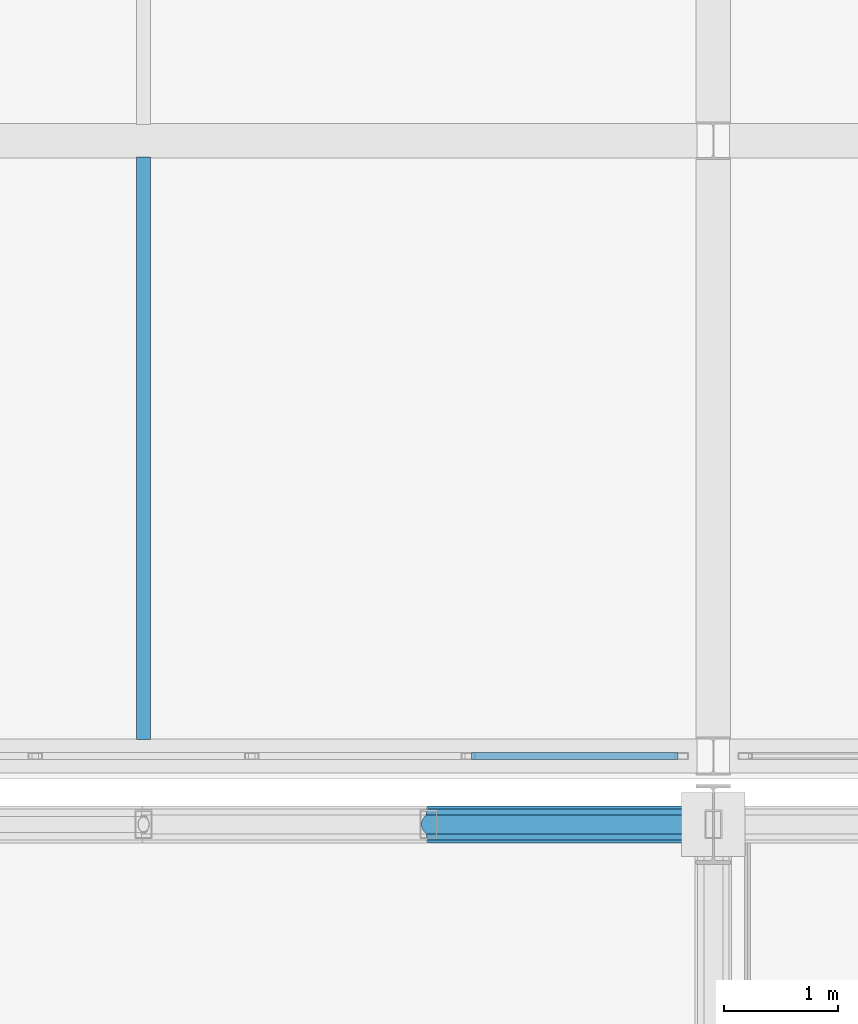
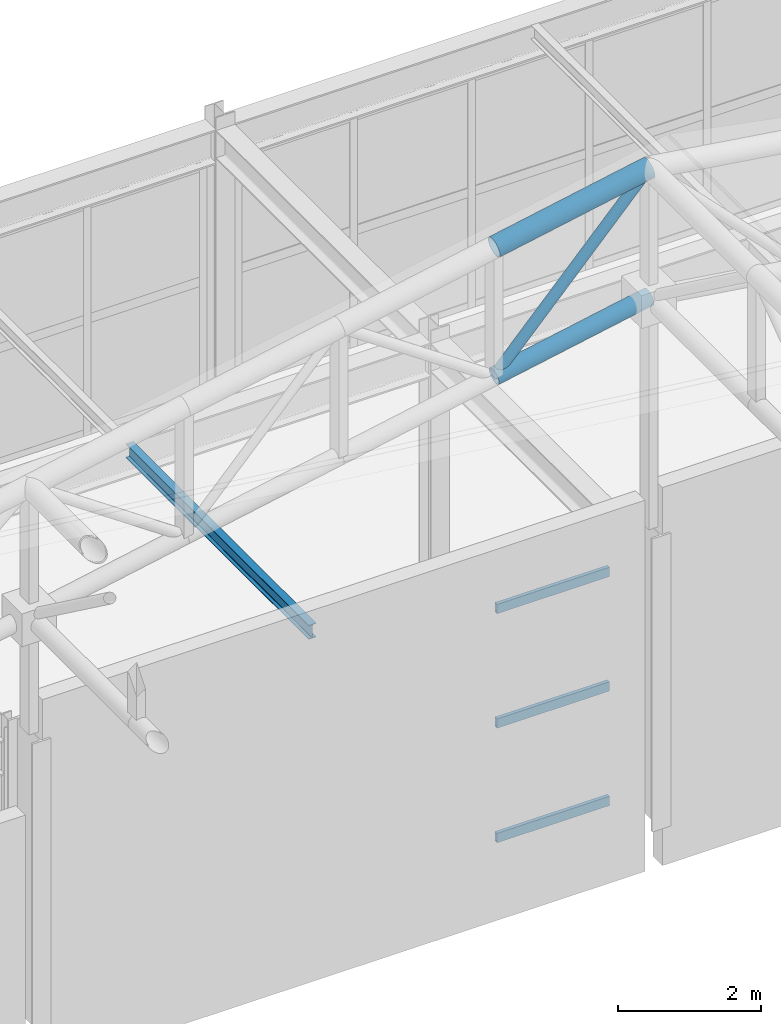
# One storey, part 70 of 112: 6 members, 1 beam, 1 element without a shape of its own.
"""IFC4 building model written with IfcOpenShell, lengths in metres."""

from ifc_helpers import new_model, si_unit, direction, frame, origin, origin_2d, place, context, subcontext, project, spatial, hollow_rectangle, hollow_circle, i_section, extrude, material, material_profile, profile_set, type_object, element, aggregate, save


model = new_model("IFC4")

# Units and contexts
model_context = context("Model", 3, precision=1e-05, world=origin(), true_north=direction((0.0, 1.0)))
body_context = subcontext(model_context, "Body", "Model", "MODEL_VIEW")
ifc_project = project(units=[si_unit("LENGTHUNIT", "METRE"), si_unit("AREAUNIT", "SQUARE_METRE"), si_unit("VOLUMEUNIT", "CUBIC_METRE"), si_unit("PLANEANGLEUNIT", "RADIAN"), si_unit("MASSUNIT", "GRAM", prefix="KILO")], contexts=[model_context])

# Site, building, storey
site_placement = place(None, origin())
site = spatial("IfcSite", under=ifc_project, at=site_placement, CompositionType="ELEMENT")
building_placement = place(site_placement, origin())
building = spatial("IfcBuilding", under=site, at=building_placement, Name="Kaldris Quays Convention Centre", CompositionType="ELEMENT")
storey_placement = place(building_placement, frame((0.0, 0.0, 16.800048828125)))
storey = spatial("IfcBuildingStorey", under=building, at=storey_placement, Name="L03", CompositionType="ELEMENT", Elevation=16.800048828125)

# Curtain wall, members
ifc_material_1 = material(Name="Anodized aluminium AW-6060 and triple glazing", Category="aluminium")
curtain_wall_type = type_object("IfcCurtainWallType", Name="UNITISED CURTAIN WALL CW06", PredefinedType="NOTDEFINED", material=ifc_material_1)
curtain_wall_placement = place(storey_placement, origin())
curtain_wall = element("IfcCurtainWall", 1, at=curtain_wall_placement, inside=storey, type_object=curtain_wall_type, Name="L03 Unitised Curtain Wall CW06 176", PredefinedType="NOTDEFINED")
ifc_material_2 = material(Name="Anodized aluminium AW-6060", Category="aluminium")
ifc_material_profile_1 = material_profile(ifc_material_2, hollow_rectangle(XDim=0.06005859375, YDim=0.159912109375, WallThickness=0.00390625, at=origin_2d()), Name="RHS 160x60x4")
ifc_profile_set_1 = profile_set([ifc_material_profile_1], Name="Anodized aluminium AW-6060")
member_type_1 = type_object("IfcMemberType", Name="CURTAIN TRANSOM CWT2", PredefinedType="USERDEFINED", material=ifc_profile_set_1)
member_1_placement = place(storey_placement, frame((181.8798828125, 104.60009765625, 0.030029296875), z_axis=(1.0, 0.0, 0.0), x_axis=(0.0, 1.0, 0.0)))
member_1 = element("IfcMember", 2, at=member_1_placement, type_object=member_type_1, Name="CW06 transom 5.1", ObjectType="TRANSOM", PredefinedType="USERDEFINED", context=body_context, shape_type="SweptSolid", body=[
    extrude(hollow_rectangle(XDim=0.06005859375, YDim=0.159912109375, WallThickness=0.00390625, at=origin_2d()), origin(), (0.0, 0.0, 1.0), 1.81005859375),
])
member_2_placement = place(storey_placement, frame((181.8798828125, 104.60009765625, 1.98388671875), z_axis=(1.0, 0.0, 0.0), x_axis=(0.0, 1.0, 0.0)))
member_2 = element("IfcMember", 3, at=member_2_placement, type_object=member_type_1, Name="CW06 transom 5.2", ObjectType="TRANSOM", PredefinedType="USERDEFINED", context=body_context, shape_type="SweptSolid", body=[
    extrude(hollow_rectangle(XDim=0.06005859375, YDim=0.159912109375, WallThickness=0.00390625, at=origin_2d()), origin(), (0.0, 0.0, 1.0), 1.81005859375),
])
member_3_placement = place(storey_placement, frame((181.8798828125, 104.60009765625, 3.93701171875), z_axis=(1.0, 0.0, 0.0), x_axis=(0.0, 1.0, 0.0)))
member_3 = element("IfcMember", 4, at=member_3_placement, type_object=member_type_1, Name="CW06 transom 5.3", ObjectType="TRANSOM", PredefinedType="USERDEFINED", context=body_context, shape_type="SweptSolid", body=[
    extrude(hollow_rectangle(XDim=0.06005859375, YDim=0.159912109375, WallThickness=0.00390625, at=origin_2d()), origin(), (0.0, 0.0, 1.0), 1.81005859375),
])
aggregate(curtain_wall, [member_1, member_2, member_3])

# Beam
ifc_material_3 = material(Name="Steel S355J2", Category="steel")
ifc_material_profile_2 = material_profile(ifc_material_3, i_section(OverallWidth=0.1201171875, OverallDepth=0.239990234375, WebThickness=0.006103515625, FlangeThickness=0.009765625, FilletRadius=0.014892578125, at=origin_2d()), Name="IPE 240")
ifc_profile_set_2 = profile_set([ifc_material_profile_2], Name="Steel S355J2")
beam_type = type_object("IfcBeamType", Name="STRUCTURAL BEAM JT05", PredefinedType="JOIST", material=ifc_profile_set_2)
beam_placement = place(storey_placement, frame((179.0, 104.743896484375, 4.4619140625), z_axis=(0.0, 1.0, 0.0), x_axis=(-1.0, 0.0, 0.0)))
element("IfcBeam", 5, at=beam_placement, inside=storey, type_object=beam_type, Name="L03 Secondary Joist JT05 29", PredefinedType="JOIST", context=body_context, shape_type="SweptSolid", body=[
    extrude(i_section(OverallWidth=0.1201171875, OverallDepth=0.239990234375, WebThickness=0.006103515625, FlangeThickness=0.009765625, FilletRadius=0.014892578125, at=origin_2d()), origin(), (0.0, 0.0, 1.0), 5.112060546875),
])

# Members
ifc_material_4 = material(Name="Steel S355J2H", Category="steel")
ifc_material_profile_3 = material_profile(ifc_material_4, hollow_circle(Radius=0.161865234375, WallThickness=0.01611328125, at=origin_2d()), Name="CHS 323.9x16")
ifc_profile_set_3 = profile_set([ifc_material_profile_3], Name="Steel S355J2H")
member_type_2 = type_object("IfcMemberType", Name="STRUCTURAL MEMBER SC03", PredefinedType="CHORD", material=ifc_profile_set_3)
member_4_placement = place(storey_placement, frame((181.5, 104.0, 10.59033203125), z_axis=(0.981903710383, 0.0, 0.189380842579), x_axis=(0.0, 1.0, 0.0)))
element("IfcMember", 6, at=member_4_placement, inside=storey, type_object=member_type_2, Name="SF-V2 Top Chord X 67", PredefinedType="CHORD", context=body_context, shape_type="SweptSolid", body=[
    extrude(hollow_circle(Radius=0.161865234375, WallThickness=0.01611328125, at=origin_2d()), origin(), (0.0, 0.0, 1.0), 2.546142578125),
])
ifc_material_profile_4 = material_profile(ifc_material_4, hollow_circle(Radius=0.136474609375, WallThickness=0.012451171875, at=origin_2d()), Name="CHS 273x12.5")
ifc_profile_set_4 = profile_set([ifc_material_profile_4], Name="Steel S355J2H")
member_type_3 = type_object("IfcMemberType", Name="STRUCTURAL MEMBER SC04", PredefinedType="CHORD", material=ifc_profile_set_4)
member_5_placement = place(storey_placement, frame((181.5, 104.0, 8.390380859375), z_axis=(0.981903710383, 0.0, 0.189380842579), x_axis=(0.0, 1.0, 0.0)))
element("IfcMember", 7, at=member_5_placement, inside=storey, type_object=member_type_3, Name="SF-V2 Bottom Chord X 67", PredefinedType="CHORD", context=body_context, shape_type="SweptSolid", body=[
    extrude(hollow_circle(Radius=0.136474609375, WallThickness=0.012451171875, at=origin_2d()), origin(), (0.0, 0.0, 1.0), 2.546142578125),
])
ifc_material_profile_5 = material_profile(ifc_material_4, hollow_circle(Radius=0.084228515625, WallThickness=0.008056640625, at=origin_2d()), Name="CHS 168.3x8")
ifc_profile_set_5 = profile_set([ifc_material_profile_5], Name="Steel S355J2H")
member_type_4 = type_object("IfcMemberType", Name="STRUCTURAL MEMBER SWB2", PredefinedType="BRACE", material=ifc_profile_set_5)
member_6_placement = place(storey_placement, frame((181.5, 104.0, 8.390380859375), z_axis=(0.68183413121, 0.0, 0.731506813035), x_axis=(0.0, 1.0, 0.0)))
element("IfcMember", 8, at=member_6_placement, inside=storey, type_object=member_type_4, Name="SF-V2 Web Diagonal X 67", PredefinedType="BRACE", context=body_context, shape_type="SweptSolid", body=[
    extrude(hollow_circle(Radius=0.084228515625, WallThickness=0.008056640625, at=origin_2d()), origin(), (0.0, 0.0, 1.0), 3.66650390625),
])

save(model, "model.ifc")
